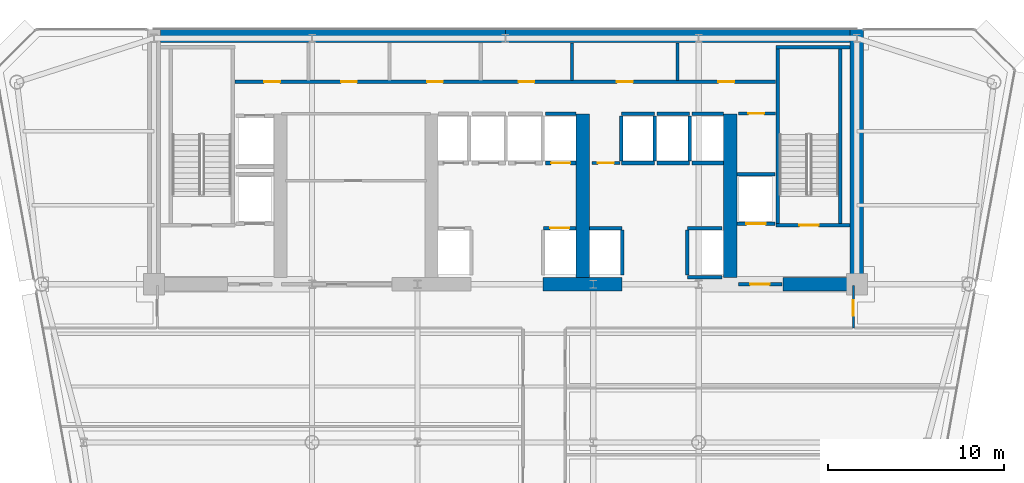
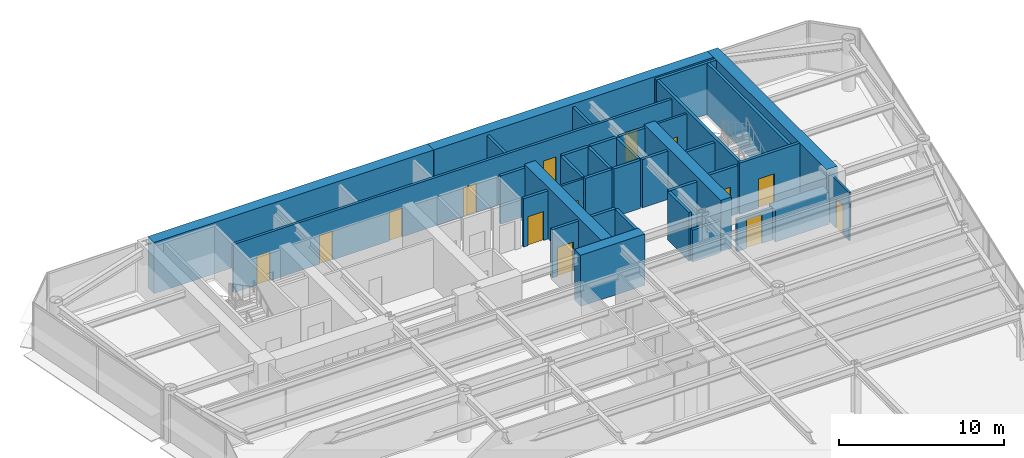
# One storey, part 12 of 17: 37 walls, 14 doors, 14 openings.
"""IFC4 building model written with IfcOpenShell, lengths in metres."""

from ifc_helpers import new_model, si_unit, direction, frame, frame_2d, origin, place, context, subcontext, project, spatial, rectangle, extrude, source, transform, mapped, material, layer, layer_set, type_object, element, fill, save


model = new_model("IFC4")

# Units and contexts
model_context = context("Model", 3, precision=1e-05, world=origin(), true_north=direction((0.0, 1.0)))
body_context = subcontext(model_context, "Body", "Model", "MODEL_VIEW")
ifc_project = project(units=[si_unit("LENGTHUNIT", "METRE"), si_unit("AREAUNIT", "SQUARE_METRE"), si_unit("VOLUMEUNIT", "CUBIC_METRE"), si_unit("PLANEANGLEUNIT", "RADIAN"), si_unit("MASSUNIT", "GRAM", prefix="KILO")], contexts=[model_context])

# Site, building, storey
site_placement = place(None, origin())
site = spatial("IfcSite", under=ifc_project, at=site_placement, CompositionType="ELEMENT")
building_placement = place(site_placement, origin())
building = spatial("IfcBuilding", under=site, at=building_placement, Name="Vaeldorn Concourse Tower", CompositionType="ELEMENT")
storey_placement = place(building_placement, frame((0.0, 0.0, 157.60009765625)))
storey = spatial("IfcBuildingStorey", under=building, at=storey_placement, Name="L40", CompositionType="ELEMENT", Elevation=157.60009765625)

# Walls
ifc_material_1 = material(Name="Concrete C60/75", Category="concrete")
ifc_layer_1 = layer(ifc_material_1, 0.75)
ifc_layer_set_1 = layer_set([ifc_layer_1], Name="Concrete C60/75")
wall_type_1 = type_object("IfcWallType", Name="WL-CORE-750", PredefinedType="SHEAR", material=ifc_layer_set_1)
for number, where, z_axis, x_axis, name in (
    (1, (14.37890625, 50.625, 0.0), (0.0, 0.0, 1.0), (1.0, 0.0, 0.0), "Rear Core Shear Wall L40 N1"),
    (2, (34.001953125, 50.625, 0.0), (0.0, 0.0, 1.0), (1.0, 0.0, 0.0), "Rear Core Shear Wall L40 N2"),
):
    element("IfcWall", number, at=place(storey_placement, frame(where, z_axis=z_axis, x_axis=x_axis)), inside=storey, type_object=wall_type_1, Name=name, PredefinedType="SHEAR", context=body_context, shape_type="SweptSolid", body=[
        extrude(rectangle(XDim=19.619140625, YDim=0.75, at=frame_2d((9.8095703125, 0.0))), origin(), (0.0, 0.0, 1.0), 3.7998046875),
    ])
wall_1_placement = place(storey_placement, frame((54.0, 36.5, 0.0), z_axis=(0.0, 0.0, 1.0), x_axis=(0.0, 1.0, 0.0)))
element("IfcWall", 3, at=wall_1_placement, inside=storey, type_object=wall_type_1, Name="Rear Core Shear Wall L40 E1", PredefinedType="SHEAR", context=body_context, shape_type="SweptSolid", body=[
    extrude(rectangle(XDim=14.5, YDim=0.75, at=frame_2d((7.25, 0.0))), origin(), (0.0, 0.0, 1.0), 3.7998046875),
])
wall_2_placement = place(storey_placement, frame((36.14990234375, 36.5, 0.0), z_axis=(0.0, 0.0, 1.0), x_axis=(1.0, 0.0, 0.0)))
element("IfcWall", 4, at=wall_2_placement, inside=storey, type_object=wall_type_1, Name="Rear Core Shear Wall L40 S3", PredefinedType="SHEAR", context=body_context, shape_type="SweptSolid", body=[
    extrude(rectangle(XDim=4.5, YDim=0.75, at=frame_2d((2.25, 0.0))), origin(), (0.0, 0.0, 1.0), 3.7998046875),
])
wall_3_placement = place(storey_placement, frame((49.800048828125, 36.5, 0.0), z_axis=(0.0, 0.0, 1.0), x_axis=(1.0, 0.0, 0.0)))
element("IfcWall", 5, at=wall_3_placement, inside=storey, type_object=wall_type_1, Name="Rear Core Shear Wall L40 S4", PredefinedType="SHEAR", context=body_context, shape_type="SweptSolid", body=[
    extrude(rectangle(XDim=3.804931640625, YDim=0.75, at=frame_2d((1.90234375, 0.0))), origin(), (0.0, 0.0, 1.0), 2.3798828125),
])
for number, where, z_axis, x_axis, name in (
    (6, (38.39990234375, 36.89501953125, 0.0), (0.0, 0.0, 1.0), (0.0, 1.0, 0.0), "Rear Core Shear Wall L40 M3"),
    (7, (46.800048828125, 36.89501953125, 0.0), (0.0, 0.0, 1.0), (0.0, 1.0, 0.0), "Rear Core Shear Wall L40 M4"),
):
    element("IfcWall", number, at=place(storey_placement, frame(where, z_axis=z_axis, x_axis=x_axis)), inside=storey, type_object=wall_type_1, Name=name, PredefinedType="SHEAR", context=body_context, shape_type="SweptSolid", body=[
        extrude(rectangle(XDim=9.304931640625, YDim=0.75, at=frame_2d((4.65234375, 0.0))), origin(), (0.0, 0.0, 1.0), 3.7998046875),
    ])

# Wall, opening, door
ifc_material_2 = material(Name="Gypsum Board Partition", Category="gypsum")
ifc_layer_2 = layer(ifc_material_2, 0.1201171875)
ifc_layer_set_2 = layer_set([ifc_layer_2], Name="Gypsum Board Partition")
wall_type_2 = type_object("IfcWallType", Name="WL-PART-120", PredefinedType="PARTITIONING", material=ifc_layer_set_2)
wall_4_placement = place(storey_placement, frame((53.800048828125, 34.0, 0.0), z_axis=(0.0, 0.0, 1.0), x_axis=(0.0, 1.0, 0.0)))
wall_4 = element("IfcWall", 8, at=wall_4_placement, inside=storey, type_object=wall_type_2, Name="Interior Wall PW-L40-C3E", PredefinedType="PARTITIONING", context=body_context, shape_type="SweptSolid", body=[
    extrude(rectangle(XDim=2.43994140625, YDim=0.1201171875, at=frame_2d((1.219970703125, 0.0))), origin(), (0.0, 0.0, 1.0), 3.579833984375),
])
opening_1_placement = place(wall_4_placement, frame((0.699951171875, 0.0, 0.0)))
opening_1 = element("IfcOpeningElement", 9, at=opening_1_placement, cuts=wall_4, Name="Opening D-03", PredefinedType="OPENING", context=body_context, shape_type="SweptSolid", body=[
    extrude(rectangle(XDim=0.89990234375, YDim=2.14990234375, at=frame_2d((0.449951171875, 1.074951171875))), frame((0.0, 0.070068359375, 0.0), z_axis=(0.0, -1.0, 0.0), x_axis=(1.0, 0.0, 0.0)), (0.0, 0.0, 1.0), 0.14013671875),
])
ifc_material_3 = material(Name="Acoustic Bronze-Framed Glass Door", Category="glass")
door_type_1 = type_object("IfcDoorType", Name="DR-INT-900", OperationType="NOTDEFINED", PredefinedType="DOOR", material=ifc_material_3)
shared_shape_1 = source(origin(), body_context, "Body", "SweptSolid", [
    extrude(rectangle(XDim=0.89990234375, YDim=2.14990234375, at=frame_2d((0.449951171875, 1.074951171875))), frame((0.0, 0.02490234375, 0.0), z_axis=(0.0, -1.0, 0.0), x_axis=(1.0, 0.0, 0.0)), (0.0, 0.0, 1.0), 0.050048828125),
])
door_1_placement = place(opening_1_placement, origin())
door_1 = element("IfcDoor", 10, at=door_1_placement, inside=storey, type_object=door_type_1, Name="Interior Door DR-L40-Z3NE", OperationType="SINGLE_SWING_RIGHT", OverallHeight=2.14990234375, OverallWidth=0.89990234375, PredefinedType="DOOR", context=body_context, shape_type="MappedRepresentation", body=[
    mapped(shared_shape_1, transform((0.0, 0.0, 0.0), scale=1.0)),
])
fill(opening_1, door_1)

ifc_layer_3 = layer(ifc_material_2, 0.14990234375)
ifc_layer_set_3 = layer_set([ifc_layer_3], Name="Gypsum Board Partition")
wall_type_3 = type_object("IfcWallType", Name="WL-PART-150", PredefinedType="PARTITIONING", material=ifc_layer_set_3)
wall_5_placement = place(storey_placement, frame((47.280029296875, 46.219970703125, 0.0), z_axis=(0.0, 0.0, 1.0), x_axis=(1.0, 0.0, 0.0)))
wall_5 = element("IfcWall", 11, at=wall_5_placement, inside=storey, type_object=wall_type_3, Name="Interior Wall CW-L40-CRSE-N", PredefinedType="PARTITIONING", context=body_context, shape_type="SweptSolid", body=[
    extrude(rectangle(XDim=2.099853515625, YDim=0.14990234375, at=frame_2d((1.0498046875, 0.0))), origin(), (0.0, 0.0, 1.0), 3.579833984375),
])
opening_2_placement = place(wall_5_placement, frame((0.550048828125, 0.0, 0.0)))
opening_2 = element("IfcOpeningElement", 12, at=opening_2_placement, cuts=wall_5, Name="Opening D-02", PredefinedType="OPENING", context=body_context, shape_type="SweptSolid", body=[
    extrude(rectangle(XDim=0.89990234375, YDim=2.10009765625, at=frame_2d((0.449951171875, 1.050048828125))), frame((0.0, 0.0849609375, 0.0), z_axis=(0.0, -1.0, 0.0), x_axis=(1.0, 0.0, 0.0)), (0.0, 0.0, 1.0), 0.169921875),
])
ifc_material_4 = material(Name="Fire-Rated Timber Leaf", Category="wood")
door_type_2 = type_object("IfcDoorType", Name="DR-FD30-900", OperationType="NOTDEFINED", PredefinedType="DOOR", material=ifc_material_4)
shared_shape_2 = source(origin(), body_context, "Body", "SweptSolid", [
    extrude(rectangle(XDim=0.89990234375, YDim=2.10009765625, at=frame_2d((0.449951171875, 1.050048828125))), frame((0.0, 0.02490234375, 0.0), z_axis=(0.0, -1.0, 0.0), x_axis=(1.0, 0.0, 0.0)), (0.0, 0.0, 1.0), 0.050048828125),
])
door_2_placement = place(opening_2_placement, origin())
door_2 = element("IfcDoor", 13, at=door_2_placement, inside=storey, type_object=door_type_2, Name="Interior Door DR-L40-CRSE", OperationType="SINGLE_SWING_RIGHT", OverallHeight=2.10009765625, OverallWidth=0.89990234375, PredefinedType="DOOR", context=body_context, shape_type="MappedRepresentation", body=[
    mapped(shared_shape_2, transform((0.0, 0.0, 0.0), scale=1.0)),
])
fill(opening_2, door_2)

wall_6_placement = place(storey_placement, frame((38.919921875, 43.39990234375, 0.0), z_axis=(0.0, 0.0, 1.0), x_axis=(1.0, 0.0, 0.0)))
wall_6 = element("IfcWall", 14, at=wall_6_placement, inside=storey, type_object=wall_type_3, Name="Interior Wall CW-L40-CCLINK", PredefinedType="PARTITIONING", context=body_context, shape_type="SweptSolid", body=[
    extrude(rectangle(XDim=1.60009765625, YDim=0.14990234375, at=frame_2d((0.800048828125, 0.0))), origin(), (0.0, 0.0, 1.0), 3.579833984375),
])
opening_3_placement = place(wall_6_placement, frame((0.35009765625, 0.0, 0.0)))
opening_3 = element("IfcOpeningElement", 15, at=opening_3_placement, cuts=wall_6, Name="Opening D-02", PredefinedType="OPENING", context=body_context, shape_type="SweptSolid", body=[
    extrude(rectangle(XDim=0.89990234375, YDim=2.10009765625, at=frame_2d((0.449951171875, 1.050048828125))), frame((0.0, 0.0849609375, 0.0), z_axis=(0.0, -1.0, 0.0), x_axis=(1.0, 0.0, 0.0)), (0.0, 0.0, 1.0), 0.169921875),
])
door_3_placement = place(opening_3_placement, origin())
door_3 = element("IfcDoor", 16, at=door_3_placement, inside=storey, type_object=door_type_2, Name="Interior Door DR-L40-CCLINK", OperationType="SINGLE_SWING_LEFT", OverallHeight=2.10009765625, OverallWidth=0.89990234375, PredefinedType="DOOR", context=body_context, shape_type="MappedRepresentation", body=[
    mapped(shared_shape_2, transform((0.0, 0.0, 0.0), scale=1.0)),
])
fill(opening_3, door_3)

# Wall, openings, doors
ifc_layer_4 = layer(ifc_material_2, 0.179931640625)
ifc_layer_set_4 = layer_set([ifc_layer_4], Name="Gypsum Board Partition")
wall_type_4 = type_object("IfcWallType", Name="WL-PLUMB-180", PredefinedType="PLUMBINGWALL", material=ifc_layer_set_4)
wall_7_placement = place(storey_placement, frame((18.6201171875, 48.02001953125, 0.0), z_axis=(0.0, 0.0, 1.0), x_axis=(1.0, 0.0, 0.0)))
wall_7 = element("IfcWall", 17, at=wall_7_placement, inside=storey, type_object=wall_type_4, Name="Interior Wall CW-L40-NS3", PredefinedType="PLUMBINGWALL", context=body_context, shape_type="SweptSolid", body=[
    extrude(rectangle(XDim=30.759765625, YDim=0.179931640625, at=frame_2d((15.3798828125, 0.0))), origin(), (0.0, 0.0, 1.0), 3.579833984375),
])
opening_4_placement = place(wall_7_placement, frame((1.655029296875, 0.0, 0.0)))
opening_4 = element("IfcOpeningElement", 18, at=opening_4_placement, cuts=wall_7, Name="Opening D-03", PredefinedType="OPENING", context=body_context, shape_type="SweptSolid", body=[
    extrude(rectangle(XDim=0.89990234375, YDim=2.14990234375, at=frame_2d((0.449951171875, 1.074951171875))), frame((0.0, 0.10009765625, 0.0), z_axis=(0.0, -1.0, 0.0), x_axis=(1.0, 0.0, 0.0)), (0.0, 0.0, 1.0), 0.199951171875),
])
opening_5_placement = place(wall_7_placement, frame((6.030029296875, 0.0, 0.0)))
opening_5 = element("IfcOpeningElement", 19, at=opening_5_placement, cuts=wall_7, Name="Opening D-03", PredefinedType="OPENING", context=body_context, shape_type="SweptSolid", body=[
    extrude(rectangle(XDim=0.89990234375, YDim=2.14990234375, at=frame_2d((0.449951171875, 1.074951171875))), frame((0.0, 0.10009765625, 0.0), z_axis=(0.0, -1.0, 0.0), x_axis=(1.0, 0.0, 0.0)), (0.0, 0.0, 1.0), 0.199951171875),
])
opening_6_placement = place(wall_7_placement, frame((10.929931640625, 0.0, 0.0)))
opening_6 = element("IfcOpeningElement", 20, at=opening_6_placement, cuts=wall_7, Name="Opening D-03", PredefinedType="OPENING", context=body_context, shape_type="SweptSolid", body=[
    extrude(rectangle(XDim=0.89990234375, YDim=2.14990234375, at=frame_2d((0.449951171875, 1.074951171875))), frame((0.0, 0.10009765625, 0.0), z_axis=(0.0, -1.0, 0.0), x_axis=(1.0, 0.0, 0.0)), (0.0, 0.0, 1.0), 0.199951171875),
])
opening_7_placement = place(wall_7_placement, frame((16.1298828125, 0.0, 0.0)))
opening_7 = element("IfcOpeningElement", 21, at=opening_7_placement, cuts=wall_7, Name="Opening D-03", PredefinedType="OPENING", context=body_context, shape_type="SweptSolid", body=[
    extrude(rectangle(XDim=0.89990234375, YDim=2.14990234375, at=frame_2d((0.449951171875, 1.074951171875))), frame((0.0, 0.10009765625, 0.0), z_axis=(0.0, -1.0, 0.0), x_axis=(1.0, 0.0, 0.0)), (0.0, 0.0, 1.0), 0.199951171875),
])
opening_8_placement = place(wall_7_placement, frame((21.72998046875, 0.0, 0.0)))
opening_8 = element("IfcOpeningElement", 22, at=opening_8_placement, cuts=wall_7, Name="Opening D-03", PredefinedType="OPENING", context=body_context, shape_type="SweptSolid", body=[
    extrude(rectangle(XDim=0.89990234375, YDim=2.14990234375, at=frame_2d((0.449951171875, 1.074951171875))), frame((0.0, 0.10009765625, 0.0), z_axis=(0.0, -1.0, 0.0), x_axis=(1.0, 0.0, 0.0)), (0.0, 0.0, 1.0), 0.199951171875),
])
opening_9_placement = place(wall_7_placement, frame((27.5048828125, 0.0, 0.0)))
opening_9 = element("IfcOpeningElement", 23, at=opening_9_placement, cuts=wall_7, Name="Opening D-03", PredefinedType="OPENING", context=body_context, shape_type="SweptSolid", body=[
    extrude(rectangle(XDim=0.89990234375, YDim=2.14990234375, at=frame_2d((0.449951171875, 1.074951171875))), frame((0.0, 0.10009765625, 0.0), z_axis=(0.0, -1.0, 0.0), x_axis=(1.0, 0.0, 0.0)), (0.0, 0.0, 1.0), 0.199951171875),
])
door_4_placement = place(opening_4_placement, origin())
door_4 = element("IfcDoor", 24, at=door_4_placement, inside=storey, type_object=door_type_1, Name="Interior Door DR-L40-CS1", OperationType="SINGLE_SWING_LEFT", OverallHeight=2.14990234375, OverallWidth=0.89990234375, PredefinedType="DOOR", context=body_context, shape_type="MappedRepresentation", body=[
    mapped(shared_shape_1, transform((0.0, 0.0, 0.0), scale=1.0)),
])
fill(opening_4, door_4)
door_5_placement = place(opening_5_placement, origin())
door_5 = element("IfcDoor", 25, at=door_5_placement, inside=storey, type_object=door_type_1, Name="Interior Door DR-L40-CS2", OperationType="SINGLE_SWING_RIGHT", OverallHeight=2.14990234375, OverallWidth=0.89990234375, PredefinedType="DOOR", context=body_context, shape_type="MappedRepresentation", body=[
    mapped(shared_shape_1, transform((0.0, 0.0, 0.0), scale=1.0)),
])
fill(opening_5, door_5)
door_6_placement = place(opening_6_placement, origin())
door_6 = element("IfcDoor", 26, at=door_6_placement, inside=storey, type_object=door_type_1, Name="Interior Door DR-L40-CS3", OperationType="SINGLE_SWING_LEFT", OverallHeight=2.14990234375, OverallWidth=0.89990234375, PredefinedType="DOOR", context=body_context, shape_type="MappedRepresentation", body=[
    mapped(shared_shape_1, transform((0.0, 0.0, 0.0), scale=1.0)),
])
fill(opening_6, door_6)
door_7_placement = place(opening_7_placement, origin())
door_7 = element("IfcDoor", 27, at=door_7_placement, inside=storey, type_object=door_type_1, Name="Interior Door DR-L40-CS4", OperationType="SINGLE_SWING_RIGHT", OverallHeight=2.14990234375, OverallWidth=0.89990234375, PredefinedType="DOOR", context=body_context, shape_type="MappedRepresentation", body=[
    mapped(shared_shape_1, transform((0.0, 0.0, 0.0), scale=1.0)),
])
fill(opening_7, door_7)
door_8_placement = place(opening_8_placement, origin())
door_8 = element("IfcDoor", 28, at=door_8_placement, inside=storey, type_object=door_type_1, Name="Interior Door DR-L40-CS5", OperationType="SINGLE_SWING_LEFT", OverallHeight=2.14990234375, OverallWidth=0.89990234375, PredefinedType="DOOR", context=body_context, shape_type="MappedRepresentation", body=[
    mapped(shared_shape_1, transform((0.0, 0.0, 0.0), scale=1.0)),
])
fill(opening_8, door_8)
door_9_placement = place(opening_9_placement, origin())
door_9 = element("IfcDoor", 29, at=door_9_placement, inside=storey, type_object=door_type_1, Name="Interior Door DR-L40-CS6", OperationType="SINGLE_SWING_RIGHT", OverallHeight=2.14990234375, OverallWidth=0.89990234375, PredefinedType="DOOR", context=body_context, shape_type="MappedRepresentation", body=[
    mapped(shared_shape_1, transform((0.0, 0.0, 0.0), scale=1.0)),
])
fill(opening_9, door_9)

# Walls
for number, where, z_axis, x_axis, name in (
    (30, (37.800048828125, 48.10009765625, 0.0), (0.0, 0.0, 1.0), (0.0, 1.0, 0.0), "Interior Wall CW-L40-NDIV4"),
    (31, (43.800048828125, 48.10009765625, 0.0), (0.0, 0.0, 1.0), (0.0, 1.0, 0.0), "Interior Wall CW-L40-NDIV5"),
):
    element("IfcWall", number, at=place(storey_placement, frame(where, z_axis=z_axis, x_axis=x_axis)), inside=storey, type_object=wall_type_4, Name=name, PredefinedType="PLUMBINGWALL", context=body_context, shape_type="SweptSolid", body=[
        extrude(rectangle(XDim=2.1298828125, YDim=0.179931640625, at=frame_2d((1.06494140625, 0.0))), origin(), (0.0, 0.0, 1.0), 3.579833984375),
    ])

# Wall, opening, door
ifc_material_5 = material(Name="Concrete C50/60", Category="concrete")
ifc_layer_5 = layer(ifc_material_5, 0.199951171875)
ifc_layer_set_5 = layer_set([ifc_layer_5], Name="Concrete C50/60")
wall_type_5 = type_object("IfcWallType", Name="WL-SHAFT-200", PredefinedType="SOLIDWALL", material=ifc_layer_set_5)
wall_8_placement = place(storey_placement, frame((49.39990234375, 39.85009765625, 0.0), z_axis=(0.0, 0.0, 1.0), x_axis=(1.0, 0.0, 0.0)))
wall_8 = element("IfcWall", 32, at=wall_8_placement, inside=storey, type_object=wall_type_5, Name="Stair Shaft Wall CW-L40-ST-2-S", PredefinedType="SOLIDWALL", context=body_context, shape_type="SweptSolid", body=[
    extrude(rectangle(XDim=4.22509765625, YDim=0.199951171875, at=frame_2d((2.112548828125, 0.0))), origin(), (0.0, 0.0, 1.0), 3.7998046875),
])
opening_10_placement = place(wall_8_placement, frame((1.324951171875, 0.0, 0.0)))
opening_10 = element("IfcOpeningElement", 33, at=opening_10_placement, cuts=wall_8, Name="Opening D-01", PredefinedType="OPENING", context=body_context, shape_type="SweptSolid", body=[
    extrude(rectangle(XDim=1.10009765625, YDim=2.14990234375, at=frame_2d((0.550048828125, 1.074951171875))), frame((0.0, 0.10986328125, 0.0), z_axis=(0.0, -1.0, 0.0), x_axis=(1.0, 0.0, 0.0)), (0.0, 0.0, 1.0), 0.219970703125),
])
ifc_material_6 = material(Name="Fire-Rated Timber and Steel Leaf", Category="steel")
door_type_3 = type_object("IfcDoorType", Name="DR-FD60-1100", OperationType="NOTDEFINED", PredefinedType="DOOR", material=ifc_material_6)
shared_shape_3 = source(origin(), body_context, "Body", "SweptSolid", [
    extrude(rectangle(XDim=1.10009765625, YDim=2.14990234375, at=frame_2d((0.550048828125, 1.074951171875))), frame((0.0, 0.02490234375, 0.0), z_axis=(0.0, -1.0, 0.0), x_axis=(1.0, 0.0, 0.0)), (0.0, 0.0, 1.0), 0.050048828125),
])
door_10_placement = place(opening_10_placement, origin())
door_10 = element("IfcDoor", 34, at=door_10_placement, inside=storey, type_object=door_type_3, Name="Interior Door DR-L40-ST-2", OperationType="SINGLE_SWING_RIGHT", OverallHeight=2.14990234375, OverallWidth=1.10009765625, PredefinedType="DOOR", context=body_context, shape_type="MappedRepresentation", body=[
    mapped(shared_shape_3, transform((0.0, 0.0, 0.0), scale=1.0)),
])
fill(opening_10, door_10)

# Walls
wall_9_placement = place(storey_placement, frame((49.39990234375, 50.0, 0.0), z_axis=(0.0, 0.0, 1.0), x_axis=(1.0, 0.0, 0.0)))
element("IfcWall", 35, at=wall_9_placement, inside=storey, type_object=wall_type_5, Name="Stair Shaft Wall CW-L40-ST-2-N", PredefinedType="SOLIDWALL", context=body_context, shape_type="SweptSolid", body=[
    extrude(rectangle(XDim=4.22509765625, YDim=0.199951171875, at=frame_2d((2.112548828125, 0.0))), origin(), (0.0, 0.0, 1.0), 3.7998046875),
])
for number, where, z_axis, x_axis, name in (
    (36, (49.5, 39.9599609375, 0.0), (0.0, 0.0, 1.0), (0.0, 1.0, 0.0), "Stair Shaft Wall CW-L40-ST-2-W"),
    (37, (53.050048828125, 39.9599609375, 0.0), (0.0, 0.0, 1.0), (0.0, 1.0, 0.0), "Stair Shaft Wall CW-L40-ST-2-E"),
):
    element("IfcWall", number, at=place(storey_placement, frame(where, z_axis=z_axis, x_axis=x_axis)), inside=storey, type_object=wall_type_5, Name=name, PredefinedType="SOLIDWALL", context=body_context, shape_type="SweptSolid", body=[
        extrude(rectangle(XDim=9.929931640625, YDim=0.199951171875, at=frame_2d((4.96484375, 0.0))), origin(), (0.0, 0.0, 1.0), 3.7998046875),
    ])

# Wall, opening, door
wall_10_placement = place(storey_placement, frame((47.280029296875, 36.5, 0.0), z_axis=(0.0, 0.0, 1.0), x_axis=(1.0, 0.0, 0.0)))
wall_10 = element("IfcWall", 38, at=wall_10_placement, inside=storey, type_object=wall_type_5, Name="Interior Wall CW-L40-FF2S", PredefinedType="SOLIDWALL", context=body_context, shape_type="SweptSolid", body=[
    extrude(rectangle(XDim=2.469970703125, YDim=0.199951171875, at=frame_2d((1.23486328125, 0.0))), origin(), (0.0, 0.0, 1.0), 2.369873046875),
])
opening_11_placement = place(wall_10_placement, frame((0.64990234375, 0.0, 0.0)))
opening_11 = element("IfcOpeningElement", 39, at=opening_11_placement, cuts=wall_10, Name="Opening D-01", PredefinedType="OPENING", context=body_context, shape_type="SweptSolid", body=[
    extrude(rectangle(XDim=1.10009765625, YDim=2.14990234375, at=frame_2d((0.550048828125, 1.074951171875))), frame((0.0, 0.10986328125, 0.0), z_axis=(0.0, -1.0, 0.0), x_axis=(1.0, 0.0, 0.0)), (0.0, 0.0, 1.0), 0.219970703125),
])
door_11_placement = place(opening_11_placement, origin())
door_11 = element("IfcDoor", 40, at=door_11_placement, inside=storey, type_object=door_type_3, Name="Interior Door DR-L40-FF2W", OperationType="SINGLE_SWING_LEFT", OverallHeight=2.14990234375, OverallWidth=1.10009765625, PredefinedType="DOOR", context=body_context, shape_type="MappedRepresentation", body=[
    mapped(shared_shape_3, transform((0.0, 0.0, 0.0), scale=1.0)),
])
fill(opening_11, door_11)

wall_11_placement = place(storey_placement, frame((36.169921875, 39.699951171875, 0.0), z_axis=(0.0, 0.0, 1.0), x_axis=(1.0, 0.0, 0.0)))
wall_11 = element("IfcWall", 41, at=wall_11_placement, inside=storey, type_object=wall_type_5, Name="Interior Wall CW-L40-LF-LF-08", PredefinedType="SOLIDWALL", context=body_context, shape_type="SweptSolid", body=[
    extrude(rectangle(XDim=1.844970703125, YDim=0.199951171875, at=frame_2d((0.92236328125, 0.0))), origin(), (0.0, 0.0, 1.0), 3.579833984375),
])
opening_12_placement = place(wall_11_placement, frame((0.3720703125, 0.0, 0.0)))
opening_12 = element("IfcOpeningElement", 42, at=opening_12_placement, cuts=wall_11, Name="Opening LD-1", PredefinedType="OPENING", context=body_context, shape_type="SweptSolid", body=[
    extrude(rectangle(XDim=1.10009765625, YDim=2.14990234375, at=frame_2d((0.550048828125, 1.074951171875))), frame((0.0, 0.10986328125, 0.0), z_axis=(0.0, -1.0, 0.0), x_axis=(1.0, 0.0, 0.0)), (0.0, 0.0, 1.0), 0.219970703125),
])
ifc_material_7 = material(Name="Anodised Bronze Aluminium", Category="aluminium")
door_type_4 = type_object("IfcDoorType", Name="DR-LIFT-SLIDE-1100", OperationType="DOUBLE_DOOR_SLIDING", PredefinedType="DOOR", material=ifc_material_7)
door_12_placement = place(opening_12_placement, origin())
door_12 = element("IfcDoor", 43, at=door_12_placement, inside=storey, type_object=door_type_4, Name="Lift Landing Door LD-L40-LF-08", OperationType="DOUBLE_DOOR_SLIDING", OverallHeight=2.14990234375, OverallWidth=1.10009765625, PredefinedType="DOOR", context=body_context, shape_type="MappedRepresentation", body=[
    mapped(shared_shape_3, transform((0.0, 0.0, 0.0), scale=1.0)),
])
fill(opening_12, door_12)

wall_12_placement = place(storey_placement, frame((36.2900390625, 43.39990234375, 0.0), z_axis=(0.0, 0.0, 1.0), x_axis=(1.0, 0.0, 0.0)))
wall_12 = element("IfcWall", 44, at=wall_12_placement, inside=storey, type_object=wall_type_5, Name="Interior Wall CW-L40-LF-LF-12", PredefinedType="SOLIDWALL", context=body_context, shape_type="SweptSolid", body=[
    extrude(rectangle(XDim=1.724853515625, YDim=0.199951171875, at=frame_2d((0.8623046875, 0.0))), origin(), (0.0, 0.0, 1.0), 3.579833984375),
])
opening_13_placement = place(wall_12_placement, frame((0.31298828125, 0.0, 0.0)))
opening_13 = element("IfcOpeningElement", 45, at=opening_13_placement, cuts=wall_12, Name="Opening LD-1", PredefinedType="OPENING", context=body_context, shape_type="SweptSolid", body=[
    extrude(rectangle(XDim=1.10009765625, YDim=2.14990234375, at=frame_2d((0.550048828125, 1.074951171875))), frame((0.0, 0.10986328125, 0.0), z_axis=(0.0, -1.0, 0.0), x_axis=(1.0, 0.0, 0.0)), (0.0, 0.0, 1.0), 0.219970703125),
])
door_13_placement = place(opening_13_placement, origin())
door_13 = element("IfcDoor", 46, at=door_13_placement, inside=storey, type_object=door_type_4, Name="Lift Landing Door LD-L40-LF-12", OperationType="DOUBLE_DOOR_SLIDING", OverallHeight=2.14990234375, OverallWidth=1.10009765625, PredefinedType="DOOR", context=body_context, shape_type="MappedRepresentation", body=[
    mapped(shared_shape_3, transform((0.0, 0.0, 0.0), scale=1.0)),
])
fill(opening_13, door_13)

# Walls
wall_13_placement = place(storey_placement, frame((36.2900390625, 46.199951171875, 0.0), z_axis=(0.0, 0.0, 1.0), x_axis=(1.0, 0.0, 0.0)))
element("IfcWall", 47, at=wall_13_placement, inside=storey, type_object=wall_type_5, Name="Interior Wall CW-L40-LFB-LF-12", PredefinedType="SOLIDWALL", context=body_context, shape_type="SweptSolid", body=[
    extrude(rectangle(XDim=1.724853515625, YDim=0.199951171875, at=frame_2d((0.8623046875, 0.0))), origin(), (0.0, 0.0, 1.0), 3.579833984375),
])
wall_14_placement = place(storey_placement, frame((38.784912109375, 39.699951171875, 0.0), z_axis=(0.0, 0.0, 1.0), x_axis=(1.0, 0.0, 0.0)))
element("IfcWall", 48, at=wall_14_placement, inside=storey, type_object=wall_type_5, Name="Interior Wall CW-L40-LF-LF-13", PredefinedType="SOLIDWALL", context=body_context, shape_type="SweptSolid", body=[
    extrude(rectangle(XDim=1.844970703125, YDim=0.199951171875, at=frame_2d((0.92236328125, 0.0))), origin(), (0.0, 0.0, 1.0), 3.579833984375),
])
wall_15_placement = place(storey_placement, frame((40.64990234375, 37.02001953125, 0.0), z_axis=(0.0, 0.0, 1.0), x_axis=(0.0, 1.0, 0.0)))
element("IfcWall", 49, at=wall_15_placement, inside=storey, type_object=wall_type_5, Name="Interior Wall CW-L40-LFE-LF-13", PredefinedType="SOLIDWALL", context=body_context, shape_type="SweptSolid", body=[
    extrude(rectangle(XDim=2.56005859375, YDim=0.199951171875, at=frame_2d((1.280029296875, 0.0))), origin(), (0.0, 0.0, 1.0), 3.579833984375),
])
wall_16_placement = place(storey_placement, frame((44.3701171875, 39.699951171875, 0.0), z_axis=(0.0, 0.0, 1.0), x_axis=(1.0, 0.0, 0.0)))
element("IfcWall", 50, at=wall_16_placement, inside=storey, type_object=wall_type_5, Name="Interior Wall CW-L40-LF-LF-14", PredefinedType="SOLIDWALL", context=body_context, shape_type="SweptSolid", body=[
    extrude(rectangle(XDim=1.9599609375, YDim=0.199951171875, at=frame_2d((0.97998046875, 0.0))), origin(), (0.0, 0.0, 1.0), 3.579833984375),
])
wall_17_placement = place(storey_placement, frame((44.3701171875, 36.89990234375, 0.0), z_axis=(0.0, 0.0, 1.0), x_axis=(1.0, 0.0, 0.0)))
element("IfcWall", 51, at=wall_17_placement, inside=storey, type_object=wall_type_5, Name="Interior Wall CW-L40-LFB-LF-14", PredefinedType="SOLIDWALL", context=body_context, shape_type="SweptSolid", body=[
    extrude(rectangle(XDim=1.9599609375, YDim=0.199951171875, at=frame_2d((0.97998046875, 0.0))), origin(), (0.0, 0.0, 1.0), 2.369873046875),
])
wall_18_placement = place(storey_placement, frame((44.35009765625, 37.02001953125, 0.0), z_axis=(0.0, 0.0, 1.0), x_axis=(0.0, 1.0, 0.0)))
element("IfcWall", 52, at=wall_18_placement, inside=storey, type_object=wall_type_5, Name="Interior Wall CW-L40-LFW-LF-14", PredefinedType="SOLIDWALL", context=body_context, shape_type="SweptSolid", body=[
    extrude(rectangle(XDim=2.56005859375, YDim=0.199951171875, at=frame_2d((1.280029296875, 0.0))), origin(), (0.0, 0.0, 1.0), 3.579833984375),
])
for number, where, z_axis, x_axis, name in (
    (53, (40.6201171875, 43.39990234375, 0.0), (0.0, 0.0, 1.0), (1.0, 0.0, 0.0), "Interior Wall CW-L40-LF-LF-15"),
    (54, (40.6201171875, 46.199951171875, 0.0), (0.0, 0.0, 1.0), (1.0, 0.0, 0.0), "Interior Wall CW-L40-LFB-LF-15"),
):
    element("IfcWall", number, at=place(storey_placement, frame(where, z_axis=z_axis, x_axis=x_axis)), inside=storey, type_object=wall_type_5, Name=name, PredefinedType="SOLIDWALL", context=body_context, shape_type="SweptSolid", body=[
        extrude(rectangle(XDim=1.85986328125, YDim=0.199951171875, at=frame_2d((0.929931640625, 0.0))), origin(), (0.0, 0.0, 1.0), 3.579833984375),
    ])
for number, where, z_axis, x_axis, name in (
    (55, (40.60009765625, 43.52001953125, 0.0), (0.0, 0.0, 1.0), (0.0, 1.0, 0.0), "Interior Wall CW-L40-LFW-LF-15"),
    (56, (42.5, 43.52001953125, 0.0), (0.0, 0.0, 1.0), (0.0, 1.0, 0.0), "Interior Wall CW-L40-LFE-LF-15"),
):
    element("IfcWall", number, at=place(storey_placement, frame(where, z_axis=z_axis, x_axis=x_axis)), inside=storey, type_object=wall_type_5, Name=name, PredefinedType="SOLIDWALL", context=body_context, shape_type="SweptSolid", body=[
        extrude(rectangle(XDim=2.56005859375, YDim=0.199951171875, at=frame_2d((1.280029296875, 0.0))), origin(), (0.0, 0.0, 1.0), 3.579833984375),
    ])
for number, where, z_axis, x_axis, name in (
    (57, (42.6201171875, 43.39990234375, 0.0), (0.0, 0.0, 1.0), (1.0, 0.0, 0.0), "Interior Wall CW-L40-LF-LF-16"),
    (58, (42.6201171875, 46.199951171875, 0.0), (0.0, 0.0, 1.0), (1.0, 0.0, 0.0), "Interior Wall CW-L40-LFB-LF-16"),
):
    element("IfcWall", number, at=place(storey_placement, frame(where, z_axis=z_axis, x_axis=x_axis)), inside=storey, type_object=wall_type_5, Name=name, PredefinedType="SOLIDWALL", context=body_context, shape_type="SweptSolid", body=[
        extrude(rectangle(XDim=1.85986328125, YDim=0.199951171875, at=frame_2d((0.929931640625, 0.0))), origin(), (0.0, 0.0, 1.0), 3.579833984375),
    ])
wall_19_placement = place(storey_placement, frame((44.5, 43.52001953125, 0.0), z_axis=(0.0, 0.0, 1.0), x_axis=(0.0, 1.0, 0.0)))
element("IfcWall", 59, at=wall_19_placement, inside=storey, type_object=wall_type_5, Name="Interior Wall CW-L40-LFE-LF-16", PredefinedType="SOLIDWALL", context=body_context, shape_type="SweptSolid", body=[
    extrude(rectangle(XDim=2.56005859375, YDim=0.199951171875, at=frame_2d((1.280029296875, 0.0))), origin(), (0.0, 0.0, 1.0), 3.579833984375),
])
for number, where, z_axis, x_axis, name in (
    (60, (44.6201171875, 43.39990234375, 0.0), (0.0, 0.0, 1.0), (1.0, 0.0, 0.0), "Interior Wall CW-L40-LF-LF-17"),
    (61, (44.6201171875, 46.199951171875, 0.0), (0.0, 0.0, 1.0), (1.0, 0.0, 0.0), "Interior Wall CW-L40-LFB-LF-17"),
):
    element("IfcWall", number, at=place(storey_placement, frame(where, z_axis=z_axis, x_axis=x_axis)), inside=storey, type_object=wall_type_5, Name=name, PredefinedType="SOLIDWALL", context=body_context, shape_type="SweptSolid", body=[
        extrude(rectangle(XDim=1.794921875, YDim=0.199951171875, at=frame_2d((0.8974609375, 0.0))), origin(), (0.0, 0.0, 1.0), 3.579833984375),
    ])

# Wall, opening, door
wall_20_placement = place(storey_placement, frame((47.18505859375, 39.949951171875, 0.0), z_axis=(0.0, 0.0, 1.0), x_axis=(1.0, 0.0, 0.0)))
wall_20 = element("IfcWall", 62, at=wall_20_placement, inside=storey, type_object=wall_type_5, Name="Interior Wall CW-L40-LF-LF-FF2", PredefinedType="SOLIDWALL", context=body_context, shape_type="SweptSolid", body=[
    extrude(rectangle(XDim=2.14501953125, YDim=0.199951171875, at=frame_2d((1.072509765625, 0.0))), origin(), (0.0, 0.0, 1.0), 3.579833984375),
])
opening_14_placement = place(wall_20_placement, frame((0.52197265625, 0.0, 0.0)))
opening_14 = element("IfcOpeningElement", 63, at=opening_14_placement, cuts=wall_20, Name="Opening LD-1", PredefinedType="OPENING", context=body_context, shape_type="SweptSolid", body=[
    extrude(rectangle(XDim=1.10009765625, YDim=2.14990234375, at=frame_2d((0.550048828125, 1.074951171875))), frame((0.0, 0.10986328125, 0.0), z_axis=(0.0, -1.0, 0.0), x_axis=(1.0, 0.0, 0.0)), (0.0, 0.0, 1.0), 0.219970703125),
])
door_14_placement = place(opening_14_placement, origin())
door_14 = element("IfcDoor", 64, at=door_14_placement, inside=storey, type_object=door_type_4, Name="Lift Landing Door LD-L40-LF-FF2", OperationType="DOUBLE_DOOR_SLIDING", OverallHeight=2.14990234375, OverallWidth=1.10009765625, PredefinedType="DOOR", context=body_context, shape_type="MappedRepresentation", body=[
    mapped(shared_shape_3, transform((0.0, 0.0, 0.0), scale=1.0)),
])
fill(opening_14, door_14)

# Wall
wall_21_placement = place(storey_placement, frame((47.18505859375, 42.75, 0.0), z_axis=(0.0, 0.0, 1.0), x_axis=(1.0, 0.0, 0.0)))
element("IfcWall", 65, at=wall_21_placement, inside=storey, type_object=wall_type_5, Name="Interior Wall CW-L40-LFB-LF-FF2", PredefinedType="SOLIDWALL", context=body_context, shape_type="SweptSolid", body=[
    extrude(rectangle(XDim=2.14501953125, YDim=0.199951171875, at=frame_2d((1.072509765625, 0.0))), origin(), (0.0, 0.0, 1.0), 3.579833984375),
])

save(model, "model.ifc")
